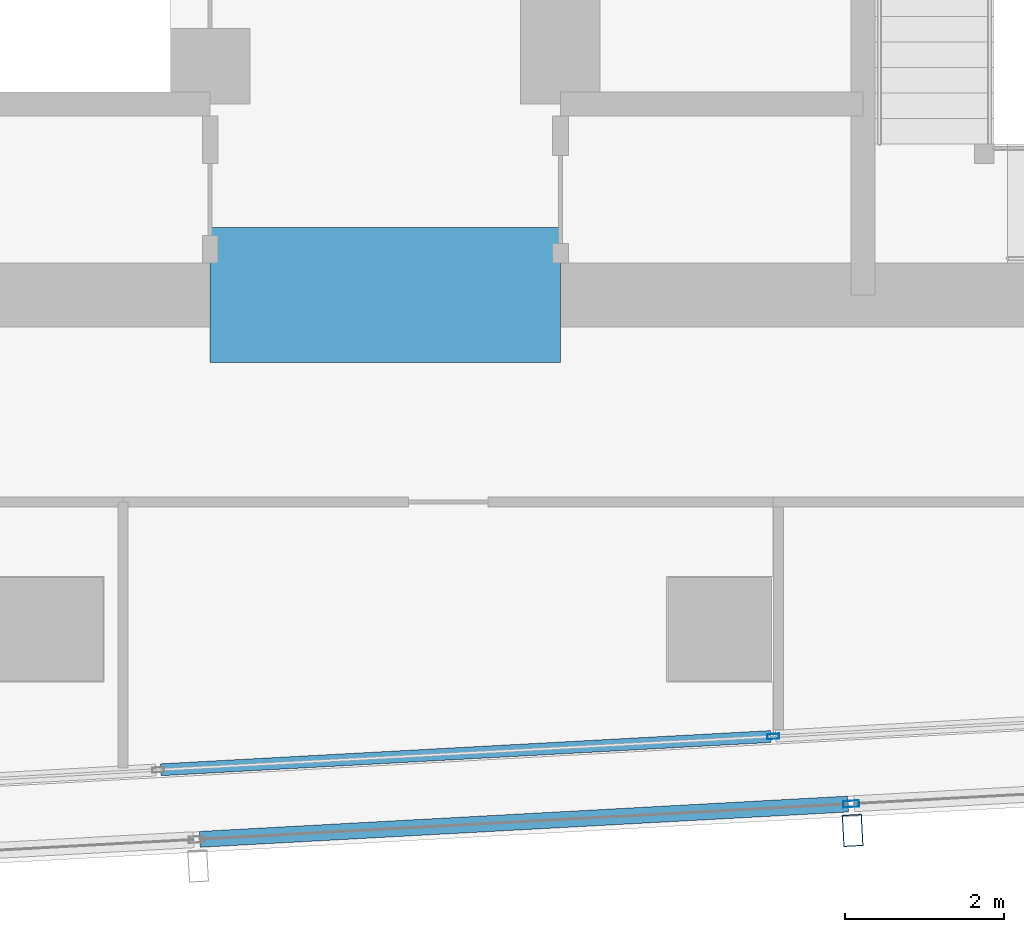
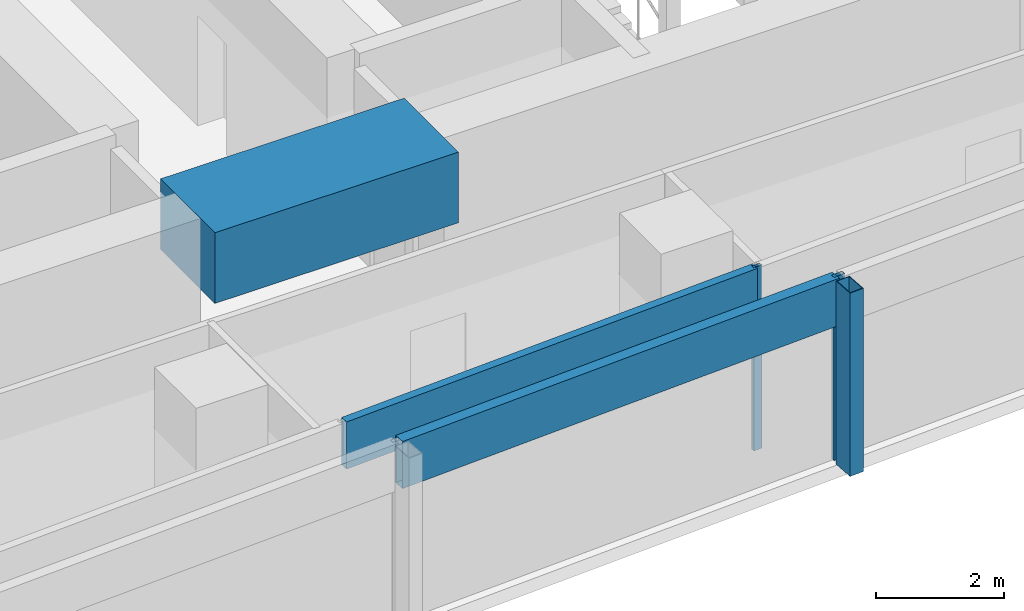
# One storey, part 9 of 28: 5 members, 1 beam, 2 elements without a shape of their own.
"""IFC4 building model written with IfcOpenShell, lengths in metres."""

from ifc_helpers import new_model, si_unit, direction, frame, origin, origin_2d, place, context, subcontext, project, spatial, rectangle, hollow_rectangle, extrude, material, material_profile, profile_set, type_object, element, aggregate, save


model = new_model("IFC4")

# Units and contexts
model_context = context("Model", 3, precision=1e-05, world=origin(), true_north=direction((0.0, 1.0)))
body_context = subcontext(model_context, "Body", "Model", "MODEL_VIEW")
ifc_project = project(units=[si_unit("LENGTHUNIT", "METRE"), si_unit("AREAUNIT", "SQUARE_METRE"), si_unit("VOLUMEUNIT", "CUBIC_METRE"), si_unit("PLANEANGLEUNIT", "RADIAN"), si_unit("MASSUNIT", "GRAM", prefix="KILO")], contexts=[model_context])

# Site, building, storey
site_placement = place(None, origin())
site = spatial("IfcSite", under=ifc_project, at=site_placement, CompositionType="ELEMENT")
building_placement = place(site_placement, origin())
building = spatial("IfcBuilding", under=site, at=building_placement, Name="Rekha Terrace Tower", CompositionType="ELEMENT")
storey_placement = place(building_placement, frame((0.0, 0.0, 253.85009765625)))
storey = spatial("IfcBuildingStorey", under=building, at=storey_placement, Name="L64", CompositionType="ELEMENT", Elevation=253.85009765625)

# Curtain wall, member
ifc_material_1 = material(Name="Aluminium framing", Category="aluminium")
curtain_wall_type_1 = type_object("IfcCurtainWallType", Name="CW2 double skin outer glazing", PredefinedType="USERDEFINED", material=ifc_material_1)
curtain_wall_1_placement = place(storey_placement, origin())
curtain_wall_1 = element("IfcCurtainWall", 1, at=curtain_wall_1_placement, inside=storey, type_object=curtain_wall_type_1, Name="CW2 double skin outer glazing", ObjectType="DOUBLE SKIN OUTER GLAZING", PredefinedType="USERDEFINED")
ifc_material_2 = material(Name="Steel S355 with fluorocarbon finish", Category="steel")
ifc_material_profile_1 = material_profile(ifc_material_2, hollow_rectangle(XDim=0.25, YDim=0.39990234375, WallThickness=0.012451171875, at=origin_2d()), Name="RHS400x250x12.5")
ifc_profile_set_1 = profile_set([ifc_material_profile_1], Name="Steel S355 with fluorocarbon finish")
member_type_1 = type_object("IfcMemberType", Name="BL1 facade blade RHS 400 x 250", PredefinedType="USERDEFINED", material=ifc_profile_set_1)
member_1_placement = place(storey_placement, frame((43.67138671875, 14.271728515625, 0.0), z_axis=(0.0, 0.0, 1.0), x_axis=(0.99851982155, 0.054389024366, 0.0)))
member_1 = element("IfcMember", 2, at=member_1_placement, type_object=member_type_1, Name="Facade blade", ObjectType="FACADE BLADE", PredefinedType="USERDEFINED", context=body_context, shape_type="SweptSolid", body=[
    extrude(hollow_rectangle(XDim=0.25, YDim=0.39990234375, WallThickness=0.012451171875, at=origin_2d()), origin(), (0.0, 0.0, 1.0), 3.5),
])

# Curtain wall, members
curtain_wall_type_2 = type_object("IfcCurtainWallType", Name="CW1 double skin inner glazing", PredefinedType="USERDEFINED", material=ifc_material_1)
curtain_wall_2_placement = place(storey_placement, origin())
curtain_wall_2 = element("IfcCurtainWall", 3, at=curtain_wall_2_placement, inside=storey, type_object=curtain_wall_type_2, Name="CW1 double skin inner glazing", ObjectType="DOUBLE SKIN INNER GLAZING", PredefinedType="USERDEFINED")
ifc_material_3 = material(Name="Aluminium mullion section", Category="aluminium")
ifc_material_profile_2 = material_profile(ifc_material_3, hollow_rectangle(XDim=0.06494140625, YDim=0.14990234375, WallThickness=0.00390625, at=origin_2d()), Name="AL RHS 65x150")
ifc_profile_set_2 = profile_set([ifc_material_profile_2], Name="Aluminium mullion section")
member_type_2 = type_object("IfcMemberType", Name="CW1 mullion RHS 65 x 150", PredefinedType="MULLION", material=ifc_profile_set_2)
member_2_placement = place(storey_placement, frame((42.673583984375, 15.4541015625, 0.0), z_axis=(0.0, 0.0, 1.0), x_axis=(-0.054388903036, 0.998519828159, 0.0)))
member_2 = element("IfcMember", 4, at=member_2_placement, type_object=member_type_2, Name="CW1 mullion 3", PredefinedType="MULLION", context=body_context, shape_type="SweptSolid", body=[
    extrude(hollow_rectangle(XDim=0.06494140625, YDim=0.14990234375, WallThickness=0.00390625, at=origin_2d()), origin(), (0.0, 0.0, 1.0), 3.5),
])
ifc_material_4 = material(Name="Insulated aluminium spandrel box", Category="aluminium")
ifc_material_profile_3 = material_profile(ifc_material_4, hollow_rectangle(XDim=0.14990234375, YDim=0.89990234375, WallThickness=0.0029296875, at=origin_2d()), Name="AL SPANDREL BOX 150x900")
ifc_profile_set_3 = profile_set([ifc_material_profile_3], Name="Insulated aluminium spandrel box")
member_type_3 = type_object("IfcMemberType", Name="CW1 spandrel transom 150 x 900", PredefinedType="USERDEFINED", material=ifc_profile_set_3)
member_3_placement = place(storey_placement, frame((34.980224609375, 15.03515625, 3.0498046875), z_axis=(0.998520172557, 0.054382579907, 0.0), x_axis=(-0.054382579907, 0.998520172557, 0.0)))
member_3 = element("IfcMember", 5, at=member_3_placement, type_object=member_type_3, Name="CW1 spandrel transom 2", ObjectType="TRANSOM", PredefinedType="USERDEFINED", context=body_context, shape_type="SweptSolid", body=[
    extrude(hollow_rectangle(XDim=0.14990234375, YDim=0.89990234375, WallThickness=0.0029296875, at=origin_2d()), origin(), (0.0, 0.0, 1.0), 7.67236328125),
])
aggregate(curtain_wall_2, [member_2, member_3])

# Member
ifc_material_profile_4 = material_profile(ifc_material_3, hollow_rectangle(XDim=0.080078125, YDim=0.199951171875, WallThickness=0.00390625, at=origin_2d()), Name="AL RHS 80x200")
ifc_profile_set_4 = profile_set([ifc_material_profile_4], Name="Aluminium mullion section")
member_type_4 = type_object("IfcMemberType", Name="CW2 mullion RHS 80 x 200", PredefinedType="MULLION", material=ifc_profile_set_4)
member_4_placement = place(storey_placement, frame((43.6533203125, 14.606201171875, 0.0), z_axis=(0.0, 0.0, 1.0), x_axis=(-0.054388903071, 0.998519828157, 0.0)))
member_4 = element("IfcMember", 6, at=member_4_placement, type_object=member_type_4, Name="CW2 mullion 3", PredefinedType="MULLION", context=body_context, shape_type="SweptSolid", body=[
    extrude(hollow_rectangle(XDim=0.080078125, YDim=0.199951171875, WallThickness=0.00390625, at=origin_2d()), origin(), (0.0, 0.0, 1.0), 3.5),
])

ifc_material_profile_5 = material_profile(ifc_material_4, hollow_rectangle(XDim=0.199951171875, YDim=0.89990234375, WallThickness=0.0029296875, at=origin_2d()), Name="AL SPANDREL BOX 200x900")
ifc_profile_set_5 = profile_set([ifc_material_profile_5], Name="Insulated aluminium spandrel box")
member_type_5 = type_object("IfcMemberType", Name="CW2 spandrel transom 200 x 900", PredefinedType="USERDEFINED", material=ifc_profile_set_5)
member_5_placement = place(storey_placement, frame((35.469970703125, 14.160400390625, 3.0498046875), z_axis=(0.998519553524, 0.054393944798, 0.0), x_axis=(-0.054393944798, 0.998519553524, 0.0)))
member_5 = element("IfcMember", 7, at=member_5_placement, type_object=member_type_5, Name="CW2 spandrel transom 2", ObjectType="TRANSOM", PredefinedType="USERDEFINED", context=body_context, shape_type="SweptSolid", body=[
    extrude(hollow_rectangle(XDim=0.199951171875, YDim=0.89990234375, WallThickness=0.0029296875, at=origin_2d()), origin(), (0.0, 0.0, 1.0), 8.1552734375),
])

aggregate(curtain_wall_1, [member_4, member_5, member_1])

# Beam
ifc_material_5 = material(Name="Concrete M60", Category="concrete")
ifc_material_profile_6 = material_profile(ifc_material_5, rectangle(XDim=1.699951171875, YDim=1.35009765625, at=origin_2d()), Name="RC 1700x1350")
ifc_profile_set_6 = profile_set([ifc_material_profile_6], Name="Concrete M60")
beam_type = type_object("IfcBeamType", Name="LB5A 1700x1350 diagonally reinforced coupling beam", PredefinedType="LINTEL", material=ifc_profile_set_6)
beam_placement = place(storey_placement, frame((35.60009765625, 21.0, 3.074951171875), z_axis=(1.0, 0.0, 0.0), x_axis=(0.0, 1.0, 0.0)))
element("IfcBeam", 8, at=beam_placement, inside=storey, type_object=beam_type, Name="Coupling beam LB5A S L64", PredefinedType="LINTEL", context=body_context, shape_type="SweptSolid", body=[
    extrude(rectangle(XDim=1.699951171875, YDim=1.35009765625, at=origin_2d()), origin(), (0.0, 0.0, 1.0), 4.39990234375),
])

save(model, "model.ifc")
